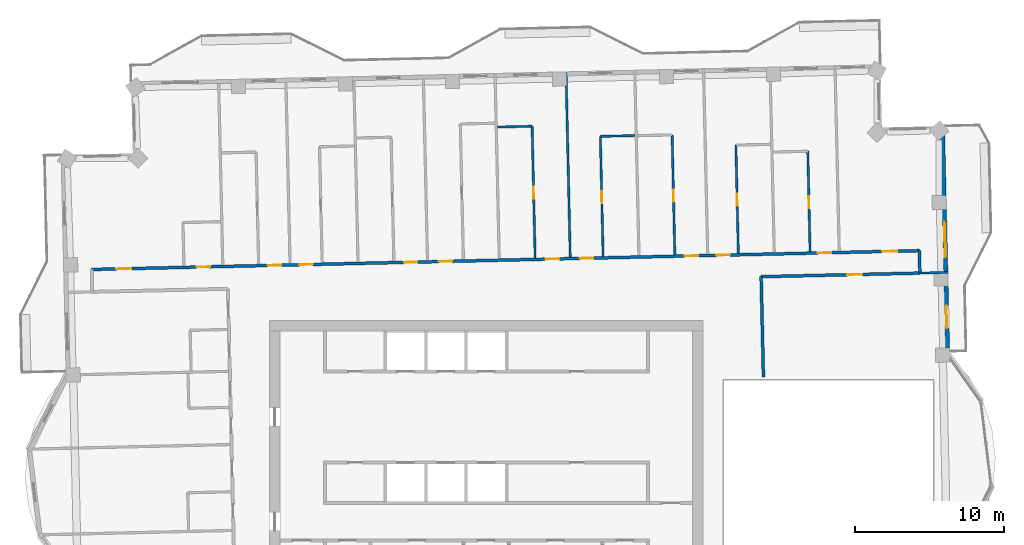
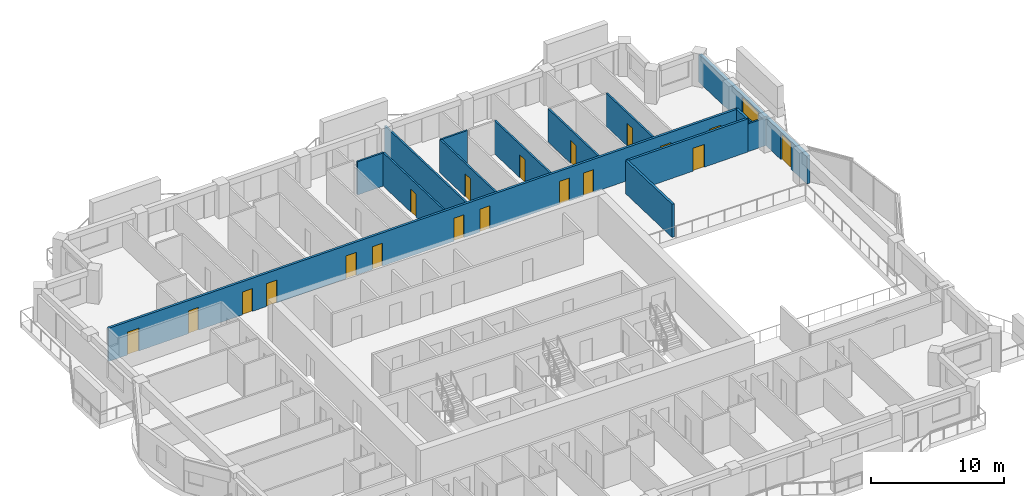
# One storey, part 14 of 20: 19 doors, 14 walls, 1 window, 20 openings.
"""IFC4 building model written with IfcOpenShell, lengths in metres."""

from ifc_helpers import new_model, si_unit, direction, frame, frame_2d, origin, place, context, subcontext, project, spatial, rectangle, extrude, material, layer, layer_set, type_object, element, fill, save


model = new_model("IFC4")

# Units and contexts
model_context = context("Model", 3, precision=1e-05, world=origin(), true_north=direction((0.0, 1.0)))
body_context = subcontext(model_context, "Body", "Model", "MODEL_VIEW")
ifc_project = project(units=[si_unit("LENGTHUNIT", "METRE"), si_unit("AREAUNIT", "SQUARE_METRE"), si_unit("VOLUMEUNIT", "CUBIC_METRE"), si_unit("PLANEANGLEUNIT", "RADIAN"), si_unit("MASSUNIT", "GRAM", prefix="KILO")], contexts=[model_context])

# Site, building, storey
site_placement = place(None, origin())
site = spatial("IfcSite", under=ifc_project, at=site_placement, CompositionType="ELEMENT")
building_placement = place(site_placement, origin())
building = spatial("IfcBuilding", under=site, at=building_placement, Name="Mangrove Gate Tower", CompositionType="ELEMENT")
storey_placement = place(building_placement, frame((0.0, 0.0, 279.89990234375)))
storey = spatial("IfcBuildingStorey", under=building, at=storey_placement, Name="L71", CompositionType="ELEMENT", Elevation=279.89990234375)

# Wall
ifc_material_1 = material(Name="Gypsum board on steel stud, EI 60", Category="steel")
ifc_layer_1 = layer(ifc_material_1, 0.199951171875)
ifc_layer_set_1 = layer_set([ifc_layer_1], Name="Corridor wall EI 60")
wall_type_1 = type_object("IfcWallType", Name="Corridor wall EI 60", PredefinedType="PARTITIONING", material=ifc_layer_set_1)
wall_1_placement = place(storey_placement, frame((18.537109375, 7.714111328125, 0.0), z_axis=(0.0, 0.0, 1.0), x_axis=(-0.022773383809, 0.999740652864, 0.0)))
element("IfcWall", 1, at=wall_1_placement, inside=storey, type_object=wall_type_1, Name="WALL-L71-047", PredefinedType="PARTITIONING", context=body_context, shape_type="SweptSolid", body=[
    extrude(rectangle(XDim=6.7216796875, YDim=0.199951171875, at=frame_2d((3.36083984375, 0.0))), origin(), (0.0, 0.0, 1.0), 3.050048828125),
])

# Wall, opening, door
wall_2_placement = place(storey_placement, frame((18.382080078125, 14.43408203125, 0.0), z_axis=(0.0, 0.0, 1.0), x_axis=(0.999742819156, 0.02267808514, 0.0)))
wall_2 = element("IfcWall", 2, at=wall_2_placement, inside=storey, type_object=wall_type_1, Name="WALL-L71-054", PredefinedType="PARTITIONING", context=body_context, shape_type="SweptSolid", body=[
    extrude(rectangle(XDim=10.62548828125, YDim=0.199951171875, at=frame_2d((5.312744140625, 0.0))), origin(), (0.0, 0.0, 1.0), 3.050048828125),
])
opening_1_placement = place(wall_2_placement, frame((5.777099609375, 0.0, 0.0)))
opening_1 = element("IfcOpeningElement", 3, at=opening_1_placement, cuts=wall_2, Name="Opening AD", PredefinedType="OPENING", context=body_context, shape_type="SweptSolid", body=[
    extrude(rectangle(XDim=1.0, YDim=2.10009765625, at=frame_2d((0.5, 1.050048828125))), frame((0.0, 0.10986328125, 0.0), z_axis=(0.0, -1.0, 0.0), x_axis=(1.0, 0.0, 0.0)), (0.0, 0.0, 1.0), 0.219970703125),
])
ifc_material_2 = material(Name="Timber door leaf", Category="wood")
door_type_1 = type_object("IfcDoorType", Name="Amenity door 1000", OperationType="SINGLE_SWING_LEFT", PredefinedType="DOOR", material=ifc_material_2)
door_1_placement = place(opening_1_placement, origin())
door_1 = element("IfcDoor", 4, at=door_1_placement, inside=storey, type_object=door_type_1, Name="DOOR-L71-GAM-c3a", OperationType="SINGLE_SWING_RIGHT", OverallHeight=2.10009765625, OverallWidth=1.0, PredefinedType="DOOR", context=body_context, shape_type="SweptSolid", body=[
    extrude(rectangle(XDim=1.0, YDim=2.10009765625, at=frame_2d((0.5, 1.050048828125))), frame((0.0, 0.02490234375, 0.0), z_axis=(0.0, -1.0, 0.0), x_axis=(1.0, 0.0, 0.0)), (0.0, 0.0, 1.0), 0.050048828125),
])
fill(opening_1, door_1)

# Wall
wall_3_placement = place(storey_placement, frame((29.001953125, 14.675048828125, 0.0), z_axis=(0.0, 0.0, 1.0), x_axis=(-0.022617910375, 0.999744182344, 0.0)))
element("IfcWall", 5, at=wall_3_placement, inside=storey, type_object=wall_type_1, Name="WALL-L71-055", PredefinedType="PARTITIONING", context=body_context, shape_type="SweptSolid", body=[
    extrude(rectangle(XDim=1.50048828125, YDim=0.199951171875, at=frame_2d((0.750244140625, 0.0))), origin(), (0.0, 0.0, 1.0), 3.050048828125),
])

# Wall, openings, doors
wall_4_placement = place(storey_placement, frame((-26.40087890625, 14.91796875, 0.0), z_axis=(0.0, 0.0, 1.0), x_axis=(0.99974239733, 0.022696673341, 0.0)))
wall_4 = element("IfcWall", 6, at=wall_4_placement, inside=storey, type_object=wall_type_1, Name="WALL-L71-057", PredefinedType="PARTITIONING", context=body_context, shape_type="SweptSolid", body=[
    extrude(rectangle(XDim=55.385986328125, YDim=0.199951171875, at=frame_2d((27.69287109375, 0.0))), origin(), (0.0, 0.0, 1.0), 3.050048828125),
])
opening_2_placement = place(wall_4_placement, frame((52.888916015625, 0.0, 0.0)))
opening_2 = element("IfcOpeningElement", 7, at=opening_2_placement, cuts=wall_4, Name="Opening AD", PredefinedType="OPENING", context=body_context, shape_type="SweptSolid", body=[
    extrude(rectangle(XDim=1.0, YDim=2.10009765625, at=frame_2d((0.5, 1.050048828125))), frame((0.0, 0.10986328125, 0.0), z_axis=(0.0, -1.0, 0.0), x_axis=(1.0, 0.0, 0.0)), (0.0, 0.0, 1.0), 0.219970703125),
])
opening_3_placement = place(wall_4_placement, frame((48.60009765625, 0.0, 0.0)))
opening_3 = element("IfcOpeningElement", 8, at=opening_3_placement, cuts=wall_4, Name="Opening BD", PredefinedType="OPENING", context=body_context, shape_type="SweptSolid", body=[
    extrude(rectangle(XDim=0.89990234375, YDim=2.10009765625, at=frame_2d((0.449951171875, 1.050048828125))), frame((0.0, 0.10986328125, 0.0), z_axis=(0.0, -1.0, 0.0), x_axis=(1.0, 0.0, 0.0)), (0.0, 0.0, 1.0), 0.219970703125),
])
opening_4_placement = place(wall_4_placement, frame((41.800048828125, 0.0, 0.0)))
opening_4 = element("IfcOpeningElement", 9, at=opening_4_placement, cuts=wall_4, Name="Opening BD", PredefinedType="OPENING", context=body_context, shape_type="SweptSolid", body=[
    extrude(rectangle(XDim=0.89990234375, YDim=2.10009765625, at=frame_2d((0.449951171875, 1.050048828125))), frame((0.0, 0.10986328125, 0.0), z_axis=(0.0, -1.0, 0.0), x_axis=(1.0, 0.0, 0.0)), (0.0, 0.0, 1.0), 0.219970703125),
])
opening_5_placement = place(wall_4_placement, frame((39.675048828125, 0.0, 0.0)))
opening_5 = element("IfcOpeningElement", 10, at=opening_5_placement, cuts=wall_4, Name="Opening BD", PredefinedType="OPENING", context=body_context, shape_type="SweptSolid", body=[
    extrude(rectangle(XDim=0.89990234375, YDim=2.10009765625, at=frame_2d((0.449951171875, 1.050048828125))), frame((0.0, 0.10986328125, 0.0), z_axis=(0.0, -1.0, 0.0), x_axis=(1.0, 0.0, 0.0)), (0.0, 0.0, 1.0), 0.219970703125),
])
opening_6_placement = place(wall_4_placement, frame((32.675048828125, 0.0, 0.0)))
opening_6 = element("IfcOpeningElement", 11, at=opening_6_placement, cuts=wall_4, Name="Opening BD", PredefinedType="OPENING", context=body_context, shape_type="SweptSolid", body=[
    extrude(rectangle(XDim=0.89990234375, YDim=2.10009765625, at=frame_2d((0.449951171875, 1.050048828125))), frame((0.0, 0.10986328125, 0.0), z_axis=(0.0, -1.0, 0.0), x_axis=(1.0, 0.0, 0.0)), (0.0, 0.0, 1.0), 0.219970703125),
])
opening_7_placement = place(wall_4_placement, frame((30.39990234375, 0.0, 0.0)))
opening_7 = element("IfcOpeningElement", 12, at=opening_7_placement, cuts=wall_4, Name="Opening BD", PredefinedType="OPENING", context=body_context, shape_type="SweptSolid", body=[
    extrude(rectangle(XDim=0.89990234375, YDim=2.10009765625, at=frame_2d((0.449951171875, 1.050048828125))), frame((0.0, 0.10986328125, 0.0), z_axis=(0.0, -1.0, 0.0), x_axis=(1.0, 0.0, 0.0)), (0.0, 0.0, 1.0), 0.219970703125),
])
opening_8_placement = place(wall_4_placement, frame((23.22509765625, 0.0, 0.0)))
opening_8 = element("IfcOpeningElement", 13, at=opening_8_placement, cuts=wall_4, Name="Opening BD", PredefinedType="OPENING", context=body_context, shape_type="SweptSolid", body=[
    extrude(rectangle(XDim=0.89990234375, YDim=2.10009765625, at=frame_2d((0.449951171875, 1.050048828125))), frame((0.0, 0.10986328125, 0.0), z_axis=(0.0, -1.0, 0.0), x_axis=(1.0, 0.0, 0.0)), (0.0, 0.0, 1.0), 0.219970703125),
])
opening_9_placement = place(wall_4_placement, frame((20.89990234375, 0.0, 0.0)))
opening_9 = element("IfcOpeningElement", 14, at=opening_9_placement, cuts=wall_4, Name="Opening BD", PredefinedType="OPENING", context=body_context, shape_type="SweptSolid", body=[
    extrude(rectangle(XDim=0.89990234375, YDim=2.10009765625, at=frame_2d((0.449951171875, 1.050048828125))), frame((0.0, 0.10986328125, 0.0), z_axis=(0.0, -1.0, 0.0), x_axis=(1.0, 0.0, 0.0)), (0.0, 0.0, 1.0), 0.219970703125),
])
opening_10_placement = place(wall_4_placement, frame((13.89990234375, 0.0, 0.0)))
opening_10 = element("IfcOpeningElement", 15, at=opening_10_placement, cuts=wall_4, Name="Opening BD", PredefinedType="OPENING", context=body_context, shape_type="SweptSolid", body=[
    extrude(rectangle(XDim=0.89990234375, YDim=2.10009765625, at=frame_2d((0.449951171875, 1.050048828125))), frame((0.0, 0.10986328125, 0.0), z_axis=(0.0, -1.0, 0.0), x_axis=(1.0, 0.0, 0.0)), (0.0, 0.0, 1.0), 0.219970703125),
])
opening_11_placement = place(wall_4_placement, frame((11.77490234375, 0.0, 0.0)))
opening_11 = element("IfcOpeningElement", 16, at=opening_11_placement, cuts=wall_4, Name="Opening BD", PredefinedType="OPENING", context=body_context, shape_type="SweptSolid", body=[
    extrude(rectangle(XDim=0.89990234375, YDim=2.10009765625, at=frame_2d((0.449951171875, 1.050048828125))), frame((0.0, 0.10986328125, 0.0), z_axis=(0.0, -1.0, 0.0), x_axis=(1.0, 0.0, 0.0)), (0.0, 0.0, 1.0), 0.219970703125),
])
opening_12_placement = place(wall_4_placement, frame((1.64990234375, 0.0, 0.0)))
opening_12 = element("IfcOpeningElement", 17, at=opening_12_placement, cuts=wall_4, Name="Opening AD", PredefinedType="OPENING", context=body_context, shape_type="SweptSolid", body=[
    extrude(rectangle(XDim=1.0, YDim=2.10009765625, at=frame_2d((0.5, 1.050048828125))), frame((0.0, 0.10986328125, 0.0), z_axis=(0.0, -1.0, 0.0), x_axis=(1.0, 0.0, 0.0)), (0.0, 0.0, 1.0), 0.219970703125),
])
opening_13_placement = place(wall_4_placement, frame((7.02490234375, 0.0, 0.0)))
opening_13 = element("IfcOpeningElement", 18, at=opening_13_placement, cuts=wall_4, Name="Opening SD", PredefinedType="OPENING", context=body_context, shape_type="SweptSolid", body=[
    extrude(rectangle(XDim=0.89990234375, YDim=2.10009765625, at=frame_2d((0.449951171875, 1.050048828125))), frame((0.0, 0.10986328125, 0.0), z_axis=(0.0, -1.0, 0.0), x_axis=(1.0, 0.0, 0.0)), (0.0, 0.0, 1.0), 0.219970703125),
])
door_2_placement = place(opening_2_placement, origin())
door_2 = element("IfcDoor", 19, at=door_2_placement, inside=storey, type_object=door_type_1, Name="DOOR-L71-STU-c3a", OperationType="SINGLE_SWING_LEFT", OverallHeight=2.10009765625, OverallWidth=1.0, PredefinedType="DOOR", context=body_context, shape_type="SweptSolid", body=[
    extrude(rectangle(XDim=1.0, YDim=2.10009765625, at=frame_2d((0.5, 1.050048828125))), frame((0.0, 0.02490234375, 0.0), z_axis=(0.0, -1.0, 0.0), x_axis=(1.0, 0.0, 0.0)), (0.0, 0.0, 1.0), 0.050048828125),
])
fill(opening_2, door_2)
door_3_placement = place(opening_12_placement, origin())
door_3 = element("IfcDoor", 20, at=door_3_placement, inside=storey, type_object=door_type_1, Name="DOOR-L71-LNG-c5a", OperationType="SINGLE_SWING_RIGHT", OverallHeight=2.10009765625, OverallWidth=1.0, PredefinedType="DOOR", context=body_context, shape_type="SweptSolid", body=[
    extrude(rectangle(XDim=1.0, YDim=2.10009765625, at=frame_2d((0.5, 1.050048828125))), frame((0.0, 0.02490234375, 0.0), z_axis=(0.0, -1.0, 0.0), x_axis=(1.0, 0.0, 0.0)), (0.0, 0.0, 1.0), 0.050048828125),
])
fill(opening_12, door_3)
ifc_material_3 = material(Name="Timber door leaf", Category="wood")
door_type_2 = type_object("IfcDoorType", Name="Bedroom door 900", OperationType="SINGLE_SWING_LEFT", PredefinedType="DOOR", material=ifc_material_3)
door_4_placement = place(opening_3_placement, origin())
door_4 = element("IfcDoor", 21, at=door_4_placement, inside=storey, type_object=door_type_2, Name="DOOR-L71-BED-c310", OperationType="SINGLE_SWING_RIGHT", OverallHeight=2.10009765625, OverallWidth=0.89990234375, PredefinedType="DOOR", context=body_context, shape_type="SweptSolid", body=[
    extrude(rectangle(XDim=0.89990234375, YDim=2.10009765625, at=frame_2d((0.449951171875, 1.050048828125))), frame((0.0, 0.02490234375, 0.0), z_axis=(0.0, -1.0, 0.0), x_axis=(1.0, 0.0, 0.0)), (0.0, 0.0, 1.0), 0.050048828125),
])
fill(opening_3, door_4)
door_5_placement = place(opening_4_placement, origin())
door_5 = element("IfcDoor", 22, at=door_5_placement, inside=storey, type_object=door_type_2, Name="DOOR-L71-BED-c311", OperationType="SINGLE_SWING_LEFT", OverallHeight=2.10009765625, OverallWidth=0.89990234375, PredefinedType="DOOR", context=body_context, shape_type="SweptSolid", body=[
    extrude(rectangle(XDim=0.89990234375, YDim=2.10009765625, at=frame_2d((0.449951171875, 1.050048828125))), frame((0.0, 0.02490234375, 0.0), z_axis=(0.0, -1.0, 0.0), x_axis=(1.0, 0.0, 0.0)), (0.0, 0.0, 1.0), 0.050048828125),
])
fill(opening_4, door_5)
door_6_placement = place(opening_5_placement, origin())
door_6 = element("IfcDoor", 23, at=door_6_placement, inside=storey, type_object=door_type_2, Name="DOOR-L71-BED-c412", OperationType="SINGLE_SWING_RIGHT", OverallHeight=2.10009765625, OverallWidth=0.89990234375, PredefinedType="DOOR", context=body_context, shape_type="SweptSolid", body=[
    extrude(rectangle(XDim=0.89990234375, YDim=2.10009765625, at=frame_2d((0.449951171875, 1.050048828125))), frame((0.0, 0.02490234375, 0.0), z_axis=(0.0, -1.0, 0.0), x_axis=(1.0, 0.0, 0.0)), (0.0, 0.0, 1.0), 0.050048828125),
])
fill(opening_5, door_6)
door_7_placement = place(opening_6_placement, origin())
door_7 = element("IfcDoor", 24, at=door_7_placement, inside=storey, type_object=door_type_2, Name="DOOR-L71-BED-c413", OperationType="SINGLE_SWING_LEFT", OverallHeight=2.10009765625, OverallWidth=0.89990234375, PredefinedType="DOOR", context=body_context, shape_type="SweptSolid", body=[
    extrude(rectangle(XDim=0.89990234375, YDim=2.10009765625, at=frame_2d((0.449951171875, 1.050048828125))), frame((0.0, 0.02490234375, 0.0), z_axis=(0.0, -1.0, 0.0), x_axis=(1.0, 0.0, 0.0)), (0.0, 0.0, 1.0), 0.050048828125),
])
fill(opening_6, door_7)
door_8_placement = place(opening_7_placement, origin())
door_8 = element("IfcDoor", 25, at=door_8_placement, inside=storey, type_object=door_type_2, Name="DOOR-L71-BED-c414", OperationType="SINGLE_SWING_RIGHT", OverallHeight=2.10009765625, OverallWidth=0.89990234375, PredefinedType="DOOR", context=body_context, shape_type="SweptSolid", body=[
    extrude(rectangle(XDim=0.89990234375, YDim=2.10009765625, at=frame_2d((0.449951171875, 1.050048828125))), frame((0.0, 0.02490234375, 0.0), z_axis=(0.0, -1.0, 0.0), x_axis=(1.0, 0.0, 0.0)), (0.0, 0.0, 1.0), 0.050048828125),
])
fill(opening_7, door_8)
door_9_placement = place(opening_8_placement, origin())
door_9 = element("IfcDoor", 26, at=door_9_placement, inside=storey, type_object=door_type_2, Name="DOOR-L71-BED-c415", OperationType="SINGLE_SWING_LEFT", OverallHeight=2.10009765625, OverallWidth=0.89990234375, PredefinedType="DOOR", context=body_context, shape_type="SweptSolid", body=[
    extrude(rectangle(XDim=0.89990234375, YDim=2.10009765625, at=frame_2d((0.449951171875, 1.050048828125))), frame((0.0, 0.02490234375, 0.0), z_axis=(0.0, -1.0, 0.0), x_axis=(1.0, 0.0, 0.0)), (0.0, 0.0, 1.0), 0.050048828125),
])
fill(opening_8, door_9)
door_10_placement = place(opening_9_placement, origin())
door_10 = element("IfcDoor", 27, at=door_10_placement, inside=storey, type_object=door_type_2, Name="DOOR-L71-BED-c516", OperationType="SINGLE_SWING_RIGHT", OverallHeight=2.10009765625, OverallWidth=0.89990234375, PredefinedType="DOOR", context=body_context, shape_type="SweptSolid", body=[
    extrude(rectangle(XDim=0.89990234375, YDim=2.10009765625, at=frame_2d((0.449951171875, 1.050048828125))), frame((0.0, 0.02490234375, 0.0), z_axis=(0.0, -1.0, 0.0), x_axis=(1.0, 0.0, 0.0)), (0.0, 0.0, 1.0), 0.050048828125),
])
fill(opening_9, door_10)
door_11_placement = place(opening_10_placement, origin())
door_11 = element("IfcDoor", 28, at=door_11_placement, inside=storey, type_object=door_type_2, Name="DOOR-L71-BED-c517", OperationType="SINGLE_SWING_LEFT", OverallHeight=2.10009765625, OverallWidth=0.89990234375, PredefinedType="DOOR", context=body_context, shape_type="SweptSolid", body=[
    extrude(rectangle(XDim=0.89990234375, YDim=2.10009765625, at=frame_2d((0.449951171875, 1.050048828125))), frame((0.0, 0.02490234375, 0.0), z_axis=(0.0, -1.0, 0.0), x_axis=(1.0, 0.0, 0.0)), (0.0, 0.0, 1.0), 0.050048828125),
])
fill(opening_10, door_11)
door_12_placement = place(opening_11_placement, origin())
door_12 = element("IfcDoor", 29, at=door_12_placement, inside=storey, type_object=door_type_2, Name="DOOR-L71-BED-c518", OperationType="SINGLE_SWING_RIGHT", OverallHeight=2.10009765625, OverallWidth=0.89990234375, PredefinedType="DOOR", context=body_context, shape_type="SweptSolid", body=[
    extrude(rectangle(XDim=0.89990234375, YDim=2.10009765625, at=frame_2d((0.449951171875, 1.050048828125))), frame((0.0, 0.02490234375, 0.0), z_axis=(0.0, -1.0, 0.0), x_axis=(1.0, 0.0, 0.0)), (0.0, 0.0, 1.0), 0.050048828125),
])
fill(opening_11, door_12)
ifc_material_4 = material(Name="Timber door leaf", Category="wood")
door_type_3 = type_object("IfcDoorType", Name="Service room door 900", OperationType="SINGLE_SWING_LEFT", PredefinedType="DOOR", material=ifc_material_4)
door_13_placement = place(opening_13_placement, origin())
door_13 = element("IfcDoor", 30, at=door_13_placement, inside=storey, type_object=door_type_3, Name="DOOR-L71-AWC-c5a", OperationType="SINGLE_SWING_LEFT", OverallHeight=2.10009765625, OverallWidth=0.89990234375, PredefinedType="DOOR", context=body_context, shape_type="SweptSolid", body=[
    extrude(rectangle(XDim=0.89990234375, YDim=2.10009765625, at=frame_2d((0.449951171875, 1.050048828125))), frame((0.0, 0.02490234375, 0.0), z_axis=(0.0, -1.0, 0.0), x_axis=(1.0, 0.0, 0.0)), (0.0, 0.0, 1.0), 0.050048828125),
])
fill(opening_13, door_13)

# Wall, openings, door, window
ifc_material_5 = material(Name="Limestone", Category="masonry")
ifc_layer_2 = layer(ifc_material_5, 0.0400390625, Name="Limestone cladding")
ifc_material_6 = material(Name="Ventilated air gap")
ifc_layer_3 = layer(ifc_material_6, 0.0400390625, Name="Ventilated cavity")
ifc_material_7 = material(Name="Mineral wool insulation")
ifc_layer_4 = layer(ifc_material_7, 0.06005859375, Name="Insulation")
ifc_material_8 = material(Name="Breather membrane")
ifc_layer_5 = layer(ifc_material_8, 0.001953125, Name="Breather membrane")
ifc_material_9 = material(Name="Concrete C20/25 blockwork", Category="masonry")
ifc_layer_6 = layer(ifc_material_9, 0.14990234375, Name="Blockwork backing wall")
ifc_material_10 = material(Name="Gypsum plaster")
ifc_layer_7 = layer(ifc_material_10, 0.008056640625, Name="Internal plaster")
ifc_layer_set_2 = layer_set([ifc_layer_2, ifc_layer_3, ifc_layer_4, ifc_layer_5, ifc_layer_6, ifc_layer_7], Name="External wall 300 limestone cladding")
wall_type_2 = type_object("IfcWallType", Name="External wall 300 limestone cladding", PredefinedType="SOLIDWALL", material=ifc_layer_set_2)
wall_5_placement = place(storey_placement, frame((30.864990234375, 8.716064453125, 0.0), z_axis=(0.0, 0.0, 1.0), x_axis=(-0.022682425427, 0.999742720692, 0.0)))
wall_5 = element("IfcWall", 31, at=wall_5_placement, inside=storey, type_object=wall_type_2, Name="WALL-L71-E2s1", PredefinedType="SOLIDWALL", context=body_context, shape_type="SweptSolid", body=[
    extrude(rectangle(XDim=15.64990234375, YDim=0.300048828125, at=frame_2d((7.824951171875, 0.0))), origin(), (0.0, 0.0, 1.0), 2.550048828125),
])
opening_14_placement = place(wall_5_placement, frame((2.279052734375, 0.0, 0.0)))
opening_14 = element("IfcOpeningElement", 32, at=opening_14_placement, cuts=wall_5, Name="Opening BD1", PredefinedType="OPENING", context=body_context, shape_type="SweptSolid", body=[
    extrude(rectangle(XDim=1.5, YDim=2.39990234375, at=frame_2d((0.75, 1.199951171875))), frame((0.0, 0.159912109375, 0.0), z_axis=(0.0, -1.0, 0.0), x_axis=(1.0, 0.0, 0.0)), (0.0, 0.0, 1.0), 0.320068359375),
])
opening_15_placement = place(wall_5_placement, frame((7.008056640625, 0.0, 0.89990234375)))
opening_15 = element("IfcOpeningElement", 33, at=opening_15_placement, cuts=wall_5, Name="Opening W2", PredefinedType="OPENING", context=body_context, shape_type="SweptSolid", body=[
    extrude(rectangle(XDim=2.39990234375, YDim=1.5, at=frame_2d((1.199951171875, 0.75))), frame((0.0, 0.159912109375, 0.0), z_axis=(0.0, -1.0, 0.0), x_axis=(1.0, 0.0, 0.0)), (0.0, 0.0, 1.0), 0.320068359375),
])
ifc_material_11 = material(Name="Aluminium frame with laminated clear glass", Category="aluminium")
door_type_4 = type_object("IfcDoorType", Name="Balcony sliding door 1500x2400", OperationType="SLIDING_TO_LEFT", PredefinedType="DOOR", material=ifc_material_11)
door_14_placement = place(opening_14_placement, origin())
door_14 = element("IfcDoor", 34, at=door_14_placement, inside=storey, type_object=door_type_4, Name="DOOR-L71-E2-1", OperationType="SLIDING_TO_LEFT", OverallHeight=2.39990234375, OverallWidth=1.5, PredefinedType="DOOR", context=body_context, shape_type="SweptSolid", body=[
    extrude(rectangle(XDim=1.5, YDim=2.39990234375, at=frame_2d((0.75, 1.199951171875))), frame((0.0, 0.02490234375, 0.0), z_axis=(0.0, -1.0, 0.0), x_axis=(1.0, 0.0, 0.0)), (0.0, 0.0, 1.0), 0.050048828125),
])
fill(opening_14, door_14)
ifc_material_12 = material(Name="Aluminium frame with double-glazed low-e glass", Category="aluminium")
window_type = type_object("IfcWindowType", Name="Corner room window 2400x1500", PartitioningType="DOUBLE_PANEL_VERTICAL", PredefinedType="WINDOW", material=ifc_material_12)
window_placement = place(opening_15_placement, origin())
window = element("IfcWindow", 35, at=window_placement, inside=storey, type_object=window_type, Name="WIN-L71-E2-2", OverallHeight=1.5, OverallWidth=2.39990234375, PartitioningType="DOUBLE_PANEL_VERTICAL", PredefinedType="WINDOW", context=body_context, shape_type="SweptSolid", body=[
    extrude(rectangle(XDim=2.39990234375, YDim=1.5, at=frame_2d((1.199951171875, 0.75))), frame((0.0, 0.030029296875, 0.0), z_axis=(0.0, -1.0, 0.0), x_axis=(1.0, 0.0, 0.0)), (0.0, 0.0, 1.0), 0.06005859375),
])
fill(opening_15, window)

# Wall
ifc_material_13 = material(Name="Gypsum board on steel stud, EI 60", Category="steel")
ifc_layer_8 = layer(ifc_material_13, 0.14990234375)
ifc_layer_set_3 = layer_set([ifc_layer_8], Name="Party wall 150 EI 60")
wall_type_3 = type_object("IfcWallType", Name="Party wall 150 EI 60", PredefinedType="PARTITIONING", material=ifc_layer_set_3)
wall_6_placement = place(storey_placement, frame((29.0048828125, 14.675048828125, 0.0), z_axis=(0.0, 0.0, 1.0), x_axis=(0.999737243051, 0.022922583999, 0.0)))
element("IfcWall", 36, at=wall_6_placement, inside=storey, type_object=wall_type_3, Name="WALL-L71-056", PredefinedType="PARTITIONING", context=body_context, shape_type="SweptSolid", body=[
    extrude(rectangle(XDim=1.87451171875, YDim=0.14990234375, at=frame_2d((0.937255859375, 0.0))), origin(), (0.0, 0.0, 1.0), 2.550048828125),
])

# Wall, opening, door
wall_7_placement = place(storey_placement, frame((3.261962890625, 15.69091796875, 0.0), z_axis=(0.0, 0.0, 1.0), x_axis=(-0.022694967989, 0.999742436044, 0.0)))
wall_7 = element("IfcWall", 37, at=wall_7_placement, inside=storey, type_object=wall_type_3, Name="WALL-L71-068", PredefinedType="PARTITIONING", context=body_context, shape_type="SweptSolid", body=[
    extrude(rectangle(XDim=8.810302734375, YDim=0.14990234375, at=frame_2d((4.4052734375, 0.0))), origin(), (0.0, 0.0, 1.0), 3.050048828125),
])
opening_16_placement = place(wall_7_placement, frame((3.955078125, 0.0, 0.0)))
opening_16 = element("IfcOpeningElement", 38, at=opening_16_placement, cuts=wall_7, Name="Opening ED", PredefinedType="OPENING", context=body_context, shape_type="SweptSolid", body=[
    extrude(rectangle(XDim=0.800048828125, YDim=2.10009765625, at=frame_2d((0.39990234375, 1.050048828125))), frame((0.0, 0.0849609375, 0.0), z_axis=(0.0, -1.0, 0.0), x_axis=(1.0, 0.0, 0.0)), (0.0, 0.0, 1.0), 0.169921875),
])
ifc_material_14 = material(Name="Timber door leaf", Category="wood")
door_type_5 = type_object("IfcDoorType", Name="En-suite door 800", OperationType="SINGLE_SWING_LEFT", PredefinedType="DOOR", material=ifc_material_14)
door_15_placement = place(opening_16_placement, origin())
door_15 = element("IfcDoor", 39, at=door_15_placement, inside=storey, type_object=door_type_5, Name="DOOR-L71-ENS-c414", OperationType="SINGLE_SWING_RIGHT", OverallHeight=2.10009765625, OverallWidth=0.800048828125, PredefinedType="DOOR", context=body_context, shape_type="SweptSolid", body=[
    extrude(rectangle(XDim=0.800048828125, YDim=2.10009765625, at=frame_2d((0.39990234375, 1.050048828125))), frame((0.0, 0.02490234375, 0.0), z_axis=(0.0, -1.0, 0.0), x_axis=(1.0, 0.0, 0.0)), (0.0, 0.0, 1.0), 0.050048828125),
])
fill(opening_16, door_15)

# Wall
wall_8_placement = place(storey_placement, frame((5.611083984375, 15.7451171875, 0.0), z_axis=(0.0, 0.0, 1.0), x_axis=(-0.022663260168, 0.999743155335, 0.0)))
element("IfcWall", 40, at=wall_8_placement, inside=storey, type_object=wall_type_3, Name="WALL-L71-069", PredefinedType="PARTITIONING", context=body_context, shape_type="SweptSolid", body=[
    extrude(rectangle(XDim=12.399169921875, YDim=0.14990234375, at=frame_2d((6.19970703125, 0.0))), origin(), (0.0, 0.0, 1.0), 2.5),
])

# Wall, opening, door
wall_9_placement = place(storey_placement, frame((7.81103515625, 15.794921875, 0.0), z_axis=(0.0, 0.0, 1.0), x_axis=(-0.022683416553, 0.999742698205, 0.0)))
wall_9 = element("IfcWall", 41, at=wall_9_placement, inside=storey, type_object=wall_type_3, Name="WALL-L71-070", PredefinedType="PARTITIONING", context=body_context, shape_type="SweptSolid", body=[
    extrude(rectangle(XDim=8.029052734375, YDim=0.14990234375, at=frame_2d((4.0146484375, 0.0))), origin(), (0.0, 0.0, 1.0), 3.050048828125),
])
opening_17_placement = place(wall_9_placement, frame((3.56494140625, 0.0, 0.0)))
opening_17 = element("IfcOpeningElement", 42, at=opening_17_placement, cuts=wall_9, Name="Opening ED", PredefinedType="OPENING", context=body_context, shape_type="SweptSolid", body=[
    extrude(rectangle(XDim=0.800048828125, YDim=2.10009765625, at=frame_2d((0.39990234375, 1.050048828125))), frame((0.0, 0.0849609375, 0.0), z_axis=(0.0, -1.0, 0.0), x_axis=(1.0, 0.0, 0.0)), (0.0, 0.0, 1.0), 0.169921875),
])
door_16_placement = place(opening_17_placement, origin())
door_16 = element("IfcDoor", 43, at=door_16_placement, inside=storey, type_object=door_type_5, Name="DOOR-L71-ENS-c413", OperationType="SINGLE_SWING_LEFT", OverallHeight=2.10009765625, OverallWidth=0.800048828125, PredefinedType="DOOR", context=body_context, shape_type="SweptSolid", body=[
    extrude(rectangle(XDim=0.800048828125, YDim=2.10009765625, at=frame_2d((0.39990234375, 1.050048828125))), frame((0.0, 0.02490234375, 0.0), z_axis=(0.0, -1.0, 0.0), x_axis=(1.0, 0.0, 0.0)), (0.0, 0.0, 1.0), 0.050048828125),
])
fill(opening_17, door_16)

wall_10_placement = place(storey_placement, frame((12.60888671875, 15.903076171875, 0.0), z_axis=(0.0, 0.0, 1.0), x_axis=(-0.022557518047, 0.999745546817, 0.0)))
wall_10 = element("IfcWall", 44, at=wall_10_placement, inside=storey, type_object=wall_type_3, Name="WALL-L71-072", PredefinedType="PARTITIONING", context=body_context, shape_type="SweptSolid", body=[
    extrude(rectangle(XDim=8.019775390625, YDim=0.14990234375, at=frame_2d((4.009765625, 0.0))), origin(), (0.0, 0.0, 1.0), 3.050048828125),
])
opening_18_placement = place(wall_10_placement, frame((3.56005859375, 0.0, 0.0)))
opening_18 = element("IfcOpeningElement", 45, at=opening_18_placement, cuts=wall_10, Name="Opening ED", PredefinedType="OPENING", context=body_context, shape_type="SweptSolid", body=[
    extrude(rectangle(XDim=0.800048828125, YDim=2.10009765625, at=frame_2d((0.39990234375, 1.050048828125))), frame((0.0, 0.0849609375, 0.0), z_axis=(0.0, -1.0, 0.0), x_axis=(1.0, 0.0, 0.0)), (0.0, 0.0, 1.0), 0.169921875),
])
door_17_placement = place(opening_18_placement, origin())
door_17 = element("IfcDoor", 46, at=door_17_placement, inside=storey, type_object=door_type_5, Name="DOOR-L71-ENS-c412", OperationType="SINGLE_SWING_RIGHT", OverallHeight=2.10009765625, OverallWidth=0.800048828125, PredefinedType="DOOR", context=body_context, shape_type="SweptSolid", body=[
    extrude(rectangle(XDim=0.800048828125, YDim=2.10009765625, at=frame_2d((0.39990234375, 1.050048828125))), frame((0.0, 0.02490234375, 0.0), z_axis=(0.0, -1.0, 0.0), x_axis=(1.0, 0.0, 0.0)), (0.0, 0.0, 1.0), 0.050048828125),
])
fill(opening_18, door_17)

wall_11_placement = place(storey_placement, frame((16.85791015625, 16.0, 0.0), z_axis=(0.0, 0.0, 1.0), x_axis=(-0.022627186748, 0.999743972435, 0.0)))
wall_11 = element("IfcWall", 47, at=wall_11_placement, inside=storey, type_object=wall_type_3, Name="WALL-L71-074", PredefinedType="PARTITIONING", context=body_context, shape_type="SweptSolid", body=[
    extrude(rectangle(XDim=7.239990234375, YDim=0.14990234375, at=frame_2d((3.6201171875, 0.0))), origin(), (0.0, 0.0, 1.0), 3.050048828125),
])
opening_19_placement = place(wall_11_placement, frame((3.169921875, 0.0, 0.0)))
opening_19 = element("IfcOpeningElement", 48, at=opening_19_placement, cuts=wall_11, Name="Opening ED", PredefinedType="OPENING", context=body_context, shape_type="SweptSolid", body=[
    extrude(rectangle(XDim=0.800048828125, YDim=2.10009765625, at=frame_2d((0.39990234375, 1.050048828125))), frame((0.0, 0.0849609375, 0.0), z_axis=(0.0, -1.0, 0.0), x_axis=(1.0, 0.0, 0.0)), (0.0, 0.0, 1.0), 0.169921875),
])
door_18_placement = place(opening_19_placement, origin())
door_18 = element("IfcDoor", 49, at=door_18_placement, inside=storey, type_object=door_type_5, Name="DOOR-L71-ENS-c311", OperationType="SINGLE_SWING_LEFT", OverallHeight=2.10009765625, OverallWidth=0.800048828125, PredefinedType="DOOR", context=body_context, shape_type="SweptSolid", body=[
    extrude(rectangle(XDim=0.800048828125, YDim=2.10009765625, at=frame_2d((0.39990234375, 1.050048828125))), frame((0.0, 0.02490234375, 0.0), z_axis=(0.0, -1.0, 0.0), x_axis=(1.0, 0.0, 0.0)), (0.0, 0.0, 1.0), 0.050048828125),
])
fill(opening_19, door_18)

wall_12_placement = place(storey_placement, frame((21.656982421875, 16.10888671875, 0.0), z_axis=(0.0, 0.0, 1.0), x_axis=(-0.022634748998, 0.99974380125, 0.0)))
wall_12 = element("IfcWall", 50, at=wall_12_placement, inside=storey, type_object=wall_type_3, Name="WALL-L71-076", PredefinedType="PARTITIONING", context=body_context, shape_type="SweptSolid", body=[
    extrude(rectangle(XDim=6.7197265625, YDim=0.14990234375, at=frame_2d((3.35986328125, 0.0))), origin(), (0.0, 0.0, 1.0), 3.050048828125),
])
opening_20_placement = place(wall_12_placement, frame((2.909912109375, 0.0, 0.0)))
opening_20 = element("IfcOpeningElement", 51, at=opening_20_placement, cuts=wall_12, Name="Opening ED", PredefinedType="OPENING", context=body_context, shape_type="SweptSolid", body=[
    extrude(rectangle(XDim=0.800048828125, YDim=2.10009765625, at=frame_2d((0.39990234375, 1.050048828125))), frame((0.0, 0.0849609375, 0.0), z_axis=(0.0, -1.0, 0.0), x_axis=(1.0, 0.0, 0.0)), (0.0, 0.0, 1.0), 0.169921875),
])
door_19_placement = place(opening_20_placement, origin())
door_19 = element("IfcDoor", 52, at=door_19_placement, inside=storey, type_object=door_type_5, Name="DOOR-L71-ENS-c310", OperationType="SINGLE_SWING_RIGHT", OverallHeight=2.10009765625, OverallWidth=0.800048828125, PredefinedType="DOOR", context=body_context, shape_type="SweptSolid", body=[
    extrude(rectangle(XDim=0.800048828125, YDim=2.10009765625, at=frame_2d((0.39990234375, 1.050048828125))), frame((0.0, 0.02490234375, 0.0), z_axis=(0.0, -1.0, 0.0), x_axis=(1.0, 0.0, 0.0)), (0.0, 0.0, 1.0), 0.050048828125),
])
fill(opening_20, door_19)

# Walls
for number, where, z_axis, x_axis, name in (
    (53, (7.631103515625, 23.822998046875, 0.0), (0.0, 0.0, 1.0), (0.999749744571, 0.022370700241, 0.0), "WALL-L71-084"),
    (54, (0.739990234375, 24.446044921875, 0.0), (0.0, 0.0, 1.0), (0.999740260747, 0.02279059109, 0.0), "WALL-L71-086"),
):
    element("IfcWall", number, at=place(storey_placement, frame(where, z_axis=z_axis, x_axis=x_axis)), inside=storey, type_object=wall_type_3, Name=name, PredefinedType="PARTITIONING", context=body_context, shape_type="SweptSolid", body=[
        extrude(rectangle(XDim=2.324462890625, YDim=0.14990234375, at=frame_2d((1.162109375, 0.0))), origin(), (0.0, 0.0, 1.0), 3.050048828125),
    ])

save(model, "model.ifc")
